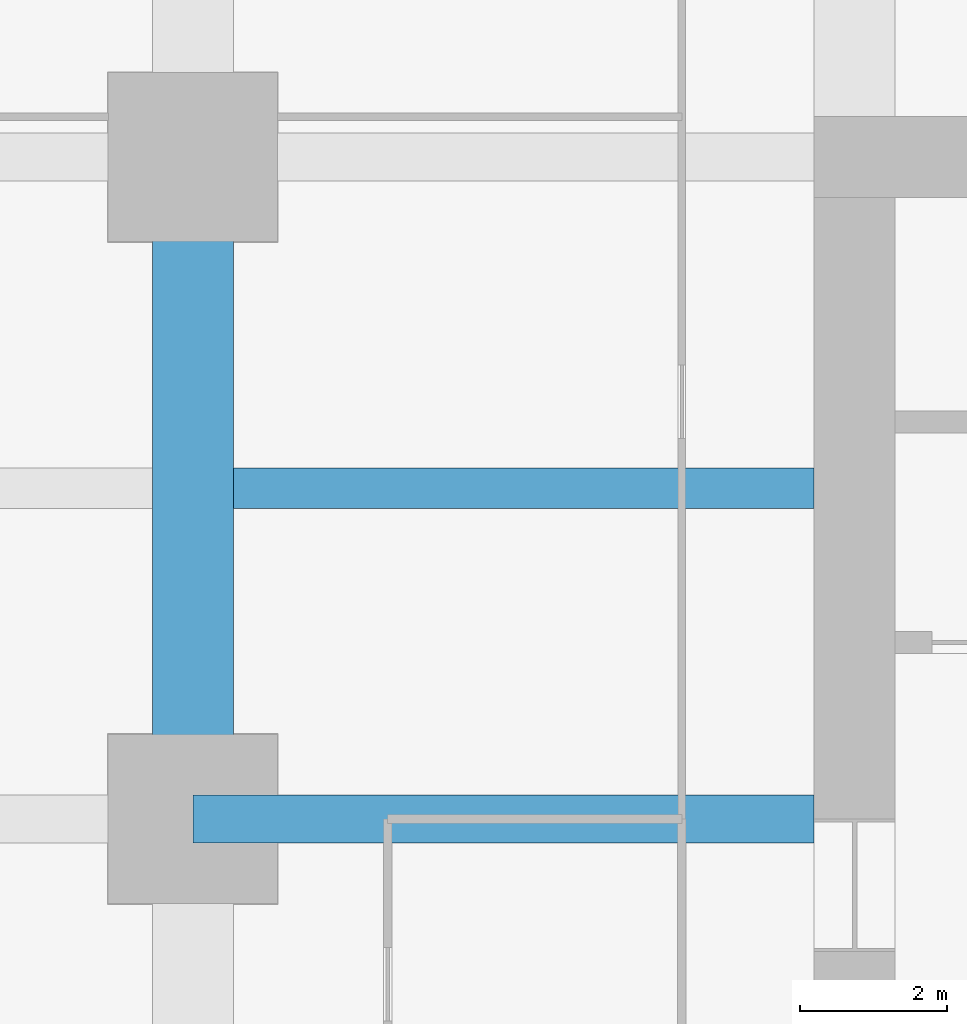
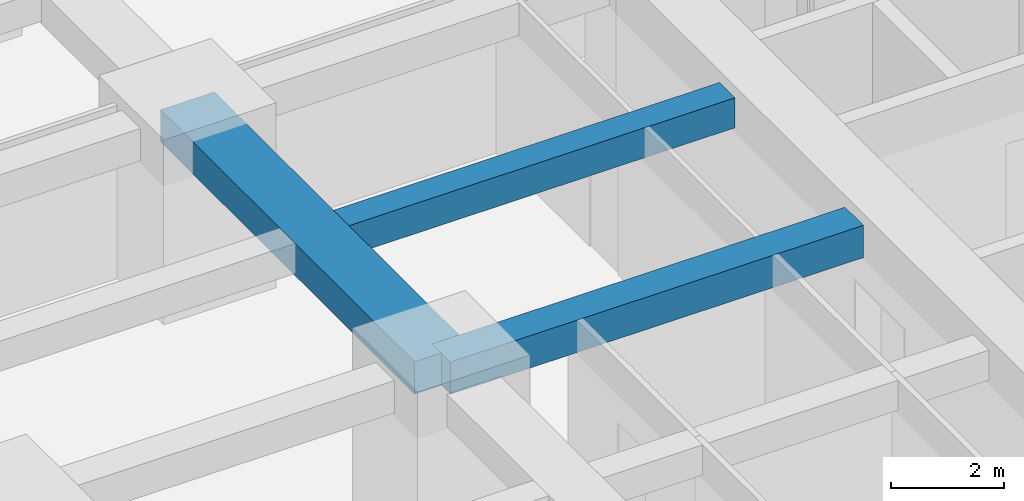
# One storey, part 12 of 45: 3 beams.
"""IFC4 building model written with IfcOpenShell, lengths in metres."""

import ifcopenshell
import ifcopenshell.guid

model = None  # the IFC model being written
_history = None  # IfcOwnerHistory: only IFC2X3 demands one
_inside = {}  # id of a spatial element -> (the spatial element, [elements in it])
_under = {}  # id of a project, library or spatial element -> (it, [spatial elements below it])
_declared = {}  # id of a project -> (the project, [libraries it declares])
_typed = {}  # id of a type object -> (the type object, [elements of that type])
_made_of = {}  # id of a material, layer set ... -> (it, [elements and type objects made of it])


def new_model(schema):
    """Start an empty IFC model of exactly this schema.

    Asked for "IFC4X3", IfcOpenShell would pick the latest addendum, in which some entities
    have other attributes; the version numbers below select the first issue.
    IFC2X3 requires an IfcOwnerHistory on every rooted entity: one is made here for all.
    """
    global model, _history
    if schema == "IFC4X3":
        model = ifcopenshell.file(schema_version=(4, 3, 0, 0))
    else:
        model = ifcopenshell.file(schema=schema)
    _inside.clear()
    _under.clear()
    _declared.clear()
    _typed.clear()
    _made_of.clear()
    _history = None
    if model.schema == "IFC2X3":
        org = make("IfcOrganization", Name="unknown")
        user = make(
            "IfcPersonAndOrganization",
            ThePerson=make("IfcPerson", FamilyName="unknown"),
            TheOrganization=org,
        )
        app = make(
            "IfcApplication",
            ApplicationDeveloper=org,
            Version="unknown",
            ApplicationFullName="unknown",
            ApplicationIdentifier="unknown",
        )
        _history = make(
            "IfcOwnerHistory",
            OwningUser=user,
            OwningApplication=app,
            ChangeAction="ADDED",
            CreationDate=0,
        )
    return model


def make(cls, **values):
    """One entity of the class cls with the attributes given. An attribute that is None is left unset."""
    return model.create_entity(
        cls, **{name: value for name, value in values.items() if value is not None}
    )


def rooted(cls, **values):
    """An entity with a GlobalId (a new one), such as an element, a storey or a relation."""
    return make(cls, GlobalId=ifcopenshell.guid.new(), OwnerHistory=_history, **values)


def si_unit(unit_type, name, prefix=None):
    """IfcSIUnit, for example si_unit("LENGTHUNIT", "METRE", prefix="MILLI")."""
    return make("IfcSIUnit", UnitType=unit_type, Prefix=prefix, Name=name)


def assignment(units):
    """IfcUnitAssignment: the units of a project."""
    return None if units is None else make("IfcUnitAssignment", Units=units)


def point(xyz):
    """IfcCartesianPoint."""
    return None if xyz is None else make("IfcCartesianPoint", Coordinates=xyz)


def direction(xyz):
    """IfcDirection."""
    return None if xyz is None else make("IfcDirection", DirectionRatios=xyz)


def frame(location, z_axis=None, x_axis=None):
    """IfcAxis2Placement3D, a coordinate frame: its origin and axes. An axis left out is left unset."""
    return make(
        "IfcAxis2Placement3D",
        Location=point(location),
        Axis=direction(z_axis),
        RefDirection=direction(x_axis),
    )


def frame_2d(location, x_axis=None):
    """IfcAxis2Placement2D, a coordinate frame in the plane: its origin and x axis."""
    return make(
        "IfcAxis2Placement2D", Location=point(location), RefDirection=direction(x_axis)
    )


def origin():
    """The frame at (0, 0, 0) with its axes left unset."""
    return frame((0.0, 0.0, 0.0))


def origin_2d():
    """The frame at (0, 0) in the plane with its x axis left unset."""
    return frame_2d((0.0, 0.0))


def place(relative_to, where):
    """IfcLocalPlacement: puts the frame where relative to a parent placement (None: the world)."""
    return make(
        "IfcLocalPlacement", PlacementRelTo=relative_to, RelativePlacement=where
    )


def context(
    kind, dimensions, precision=None, world=None, true_north=None, identifier=None
):
    """IfcGeometricRepresentationContext, for example the 3D "Model" context."""
    return make(
        "IfcGeometricRepresentationContext",
        ContextIdentifier=identifier,
        ContextType=kind,
        CoordinateSpaceDimension=dimensions,
        Precision=precision,
        WorldCoordinateSystem=world,
        TrueNorth=true_north,
    )


def subcontext(parent, identifier, kind, view, scale=None):
    """IfcGeometricRepresentationSubContext, for example "Body" below "Model"."""
    return make(
        "IfcGeometricRepresentationSubContext",
        ContextIdentifier=identifier,
        ContextType=kind,
        ParentContext=parent,
        TargetScale=scale,
        TargetView=view,
    )


def project(units=None, contexts=None):
    """IfcProject with its units and contexts."""
    return rooted(
        "IfcProject",
        Name="project",
        RepresentationContexts=contexts,
        UnitsInContext=assignment(units),
    )


def spatial(cls, under=None, at=None, **own):
    """A site, building, storey or space (cls), placed at a placement, below another one or the project."""
    s = rooted(cls, ObjectPlacement=at, **own)
    if under is not None:
        _under.setdefault(under.id(), (under, []))[1].append(s)
    return s


def profile(cls, at=None, kind="AREA", **sizes):
    """A parametric profile (cls). Its sizes go by their IFC names, for example OverallWidth=200.0."""
    return make(cls, ProfileType=kind, Position=at, **sizes)


def rectangle(**sizes):
    """IfcRectangleProfileDef."""
    return profile("IfcRectangleProfileDef", **sizes)


def extrude(swept, where, along, depth):
    """IfcExtrudedAreaSolid: the profile swept, set in the frame where, extruded along a direction by depth."""
    return make(
        "IfcExtrudedAreaSolid",
        SweptArea=swept,
        Position=where,
        ExtrudedDirection=direction(along),
        Depth=depth,
    )


def shape(context_of_items, identifier, shape_type, items):
    """IfcShapeRepresentation: the items that make up one representation, for example the "Body"."""
    return make(
        "IfcShapeRepresentation",
        ContextOfItems=context_of_items,
        RepresentationIdentifier=identifier,
        RepresentationType=shape_type,
        Items=items,
    )


def material(Name=None, Category=None):
    """IfcMaterial."""
    return make("IfcMaterial", Name=Name, Category=Category)


def material_profile(
    of_material, cross_section, Name=None, Category=None, Priority=None
):
    """IfcMaterialProfile: a cross section and its material."""
    return make(
        "IfcMaterialProfile",
        Name=Name,
        Material=of_material,
        Profile=cross_section,
        Priority=Priority,
        Category=Category,
    )


def profile_set(profiles, Name=None, composite=None):
    """IfcMaterialProfileSet."""
    return make(
        "IfcMaterialProfileSet",
        Name=Name,
        MaterialProfiles=profiles,
        CompositeProfile=composite,
    )


def made_of(thing, what):
    """Note that an element or type object is made of a material, layer set ...; save() writes the relation."""
    if what is not None:
        _made_of.setdefault(what.id(), (what, []))[1].append(thing)
    return thing


def type_object(cls, material=None, **own):
    """A type object (cls), such as IfcWallType, which elements share."""
    return made_of(rooted(cls, **own), material)


def element(
    cls,
    number,
    at=None,
    inside=None,
    cuts=None,
    type_object=None,
    material=None,
    context=None,
    identifier="Body",
    shape_type=None,
    held_by="IfcProductDefinitionShape",
    body=None,
    shapes=None,
    **own,
):
    """One element of the class cls, such as IfcWall. Its Tag is "e" and its number.

    at: its placement. inside: the storey or other place that contains it. cuts: it is an
    opening in that element (IfcRelVoidsElement). A single representation is given by context,
    identifier, shape_type and body (its items); several are given by shapes. held_by: the class
    of the entity that holds the representations. save() writes the other relations.
    """
    e = rooted(cls, Tag="e%d" % number, ObjectPlacement=at, **own)
    if body is not None:
        shapes = [shape(context, identifier, shape_type, body)]
    if shapes is not None:
        e.Representation = make(held_by, Representations=shapes)
    if inside is not None:
        _inside.setdefault(inside.id(), (inside, []))[1].append(e)
    if cuts is not None:
        rooted(
            "IfcRelVoidsElement", RelatingBuildingElement=cuts, RelatedOpeningElement=e
        )
    if type_object is not None:
        _typed.setdefault(type_object.id(), (type_object, []))[1].append(e)
    return made_of(e, material)


def aggregate(whole, parts):
    """IfcRelAggregates: a whole, such as a stair, and the parts it consists of."""
    return rooted("IfcRelAggregates", RelatingObject=whole, RelatedObjects=parts)


def save(model, path):
    """Write the relations noted so far, then the file.

    IfcRelAggregates (storeys below a building ...), IfcRelContainedInSpatialStructure (elements
    in a storey), IfcRelDefinesByType, IfcRelAssociatesMaterial and IfcRelDeclares: one each for
    every whole, place, type object, material and project.
    """
    for whole, parts in _under.values():
        aggregate(whole, parts)
    for where, things in _inside.values():
        rooted(
            "IfcRelContainedInSpatialStructure",
            RelatedElements=things,
            RelatingStructure=where,
        )
    for kind, things in _typed.values():
        rooted("IfcRelDefinesByType", RelatedObjects=things, RelatingType=kind)
    for what, things in _made_of.values():
        rooted("IfcRelAssociatesMaterial", RelatedObjects=things, RelatingMaterial=what)
    for by, libraries in _declared.values():
        rooted("IfcRelDeclares", RelatingContext=by, RelatedDefinitions=libraries)
    model.write(path)


model = new_model("IFC4")

# Units and contexts
model_context = context("Model", 3, precision=1e-05, world=origin(), true_north=direction((0.0, 1.0)))
body_context = subcontext(model_context, "Body", "Model", "MODEL_VIEW")
ifc_project = project(units=[si_unit("LENGTHUNIT", "METRE"), si_unit("AREAUNIT", "SQUARE_METRE"), si_unit("VOLUMEUNIT", "CUBIC_METRE"), si_unit("PLANEANGLEUNIT", "RADIAN"), si_unit("MASSUNIT", "GRAM", prefix="KILO")], contexts=[model_context])

# Site, building, storey
site_placement = place(None, origin())
site = spatial("IfcSite", under=ifc_project, at=site_placement, CompositionType="ELEMENT")
building_placement = place(site_placement, origin())
building = spatial("IfcBuilding", under=site, at=building_placement, Name="Zorevar Civic Tower", CompositionType="ELEMENT")
storey_placement = place(building_placement, frame((0.0, 0.0, 23.800048828125)))
storey = spatial("IfcBuildingStorey", under=building, at=storey_placement, Name="L05", CompositionType="ELEMENT", Elevation=23.800048828125)

# Beams
ifc_material_1 = material(Name="Concrete C50/60", Category="concrete")
ifc_material_profile_1 = material_profile(ifc_material_1, rectangle(XDim=1.10009765625, YDim=0.699951171875, at=origin_2d()), Name="RC 1100x700")
ifc_profile_set_1 = profile_set([ifc_material_profile_1], Name="Concrete C50/60")
beam_type_1 = type_object("IfcBeamType", Name="Beam RC 1100x700", PredefinedType="BEAM", material=ifc_profile_set_1)
beam_1_placement = place(storey_placement, frame((9.0, 27.0, 3.39990234375), z_axis=(0.0, 1.0, 0.0), x_axis=(-1.0, 0.0, 0.0)))
element("IfcBeam", 1, at=beam_1_placement, inside=storey, type_object=beam_type_1, Name="Girder L06", PredefinedType="BEAM", context=body_context, shape_type="SweptSolid", body=[
    extrude(rectangle(XDim=1.10009765625, YDim=0.699951171875, at=origin_2d()), origin(), (0.0, 0.0, 1.0), 9.0),
])
ifc_material_2 = material(Name="Concrete C50/60", Category="concrete")
ifc_material_profile_2 = material_profile(ifc_material_2, rectangle(XDim=0.550048828125, YDim=0.64990234375, at=origin_2d()), Name="RC 550x650")
ifc_profile_set_2 = profile_set([ifc_material_profile_2], Name="Concrete C50/60")
beam_type_2 = type_object("IfcBeamType", Name="Beam RC 550x650", PredefinedType="BEAM", material=ifc_profile_set_2)
beam_2_placement = place(storey_placement, frame((9.550048828125, 31.5, 3.425048828125), z_axis=(1.0, 0.0, 0.0), x_axis=(0.0, 1.0, 0.0)))
element("IfcBeam", 2, at=beam_2_placement, inside=storey, type_object=beam_type_2, Name="Secondary beam L06", PredefinedType="BEAM", context=body_context, shape_type="SweptSolid", body=[
    extrude(rectangle(XDim=0.550048828125, YDim=0.64990234375, at=origin_2d()), origin(), (0.0, 0.0, 1.0), 7.89990234375),
])
ifc_material_3 = material(Name="Concrete C50/60", Category="concrete")
ifc_material_profile_3 = material_profile(ifc_material_3, rectangle(XDim=0.64990234375, YDim=0.699951171875, at=origin_2d()), Name="RC 650x700")
ifc_profile_set_3 = profile_set([ifc_material_profile_3], Name="Concrete C50/60")
beam_type_3 = type_object("IfcBeamType", Name="Beam RC 650x700", PredefinedType="BEAM", material=ifc_profile_set_3)
beam_3_placement = place(storey_placement, frame((9.0, 27.0, 3.39990234375), z_axis=(1.0, 0.0, 0.0), x_axis=(0.0, 1.0, 0.0)))
element("IfcBeam", 3, at=beam_3_placement, inside=storey, type_object=beam_type_3, Name="Girder L06", PredefinedType="BEAM", context=body_context, shape_type="SweptSolid", body=[
    extrude(rectangle(XDim=0.64990234375, YDim=0.699951171875, at=origin_2d()), origin(), (0.0, 0.0, 1.0), 8.449951171875),
])

save(model, "model.ifc")
